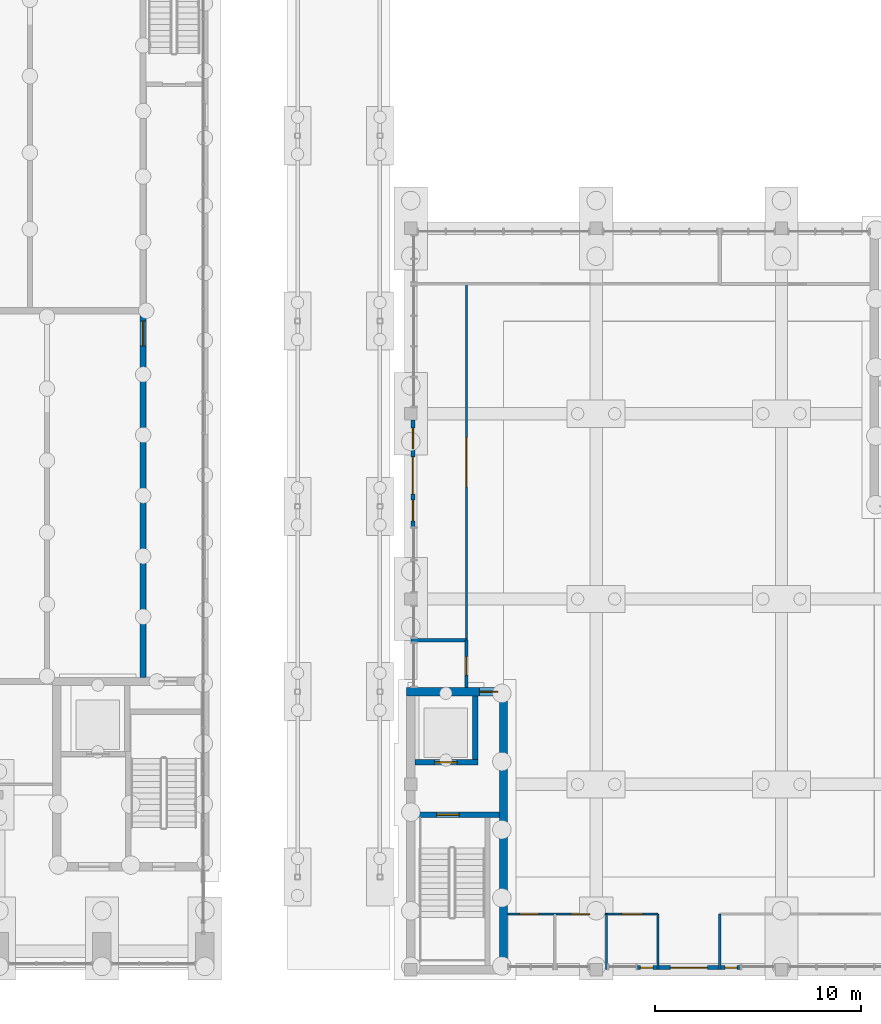
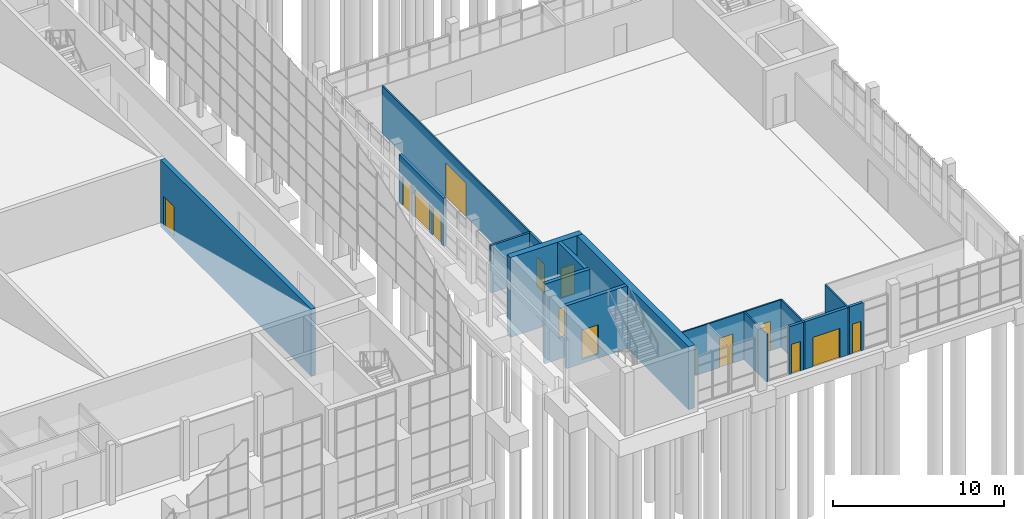
# One storey, part 67 of 106: 15 walls, 11 doors, 4 windows, 15 openings.
"""IFC4 building model written with IfcOpenShell, lengths in metres."""

from ifc_helpers import new_model, si_unit, direction, frame, frame_2d, origin, place, context, subcontext, project, spatial, rectangle, extrude, material, layer, layer_set, type_object, element, fill, save


model = new_model("IFC4")

# Units and contexts
model_context = context("Model", 3, precision=1e-05, world=origin(), true_north=direction((0.0, 1.0)))
body_context = subcontext(model_context, "Body", "Model", "MODEL_VIEW")
ifc_project = project(units=[si_unit("LENGTHUNIT", "METRE"), si_unit("AREAUNIT", "SQUARE_METRE"), si_unit("VOLUMEUNIT", "CUBIC_METRE"), si_unit("PLANEANGLEUNIT", "RADIAN"), si_unit("MASSUNIT", "GRAM", prefix="KILO")], contexts=[model_context])

# Site, building, storey
site_placement = place(None, origin())
site = spatial("IfcSite", under=ifc_project, at=site_placement, CompositionType="ELEMENT")
building_placement = place(site_placement, origin())
building = spatial("IfcBuilding", under=site, at=building_placement, Name="Merrow Basin Faculty of Sciences", CompositionType="ELEMENT")
storey_placement = place(building_placement, origin())
storey = spatial("IfcBuildingStorey", under=building, at=storey_placement, Name="L00", CompositionType="ELEMENT", Elevation=0.0)

# Wall, openings, windows, door
ifc_material_1 = material(Name="Precast concrete C40/50", Category="concrete")
ifc_layer_1 = layer(ifc_material_1, 0.199951171875)
ifc_layer_set_1 = layer_set([ifc_layer_1], Name="Entrance frame wall 200 Precast concrete C40/50")
wall_type_1 = type_object("IfcWallType", Name="Entrance frame wall 200 Precast concrete C40/50", PredefinedType="STANDARD", material=ifc_layer_set_1)
wall_1_placement = place(storey_placement, frame((45.10009765625, 21.5, 0.0), z_axis=(0.0, 0.0, 1.0), x_axis=(0.0, 1.0, 0.0)))
wall_1 = element("IfcWall", 1, at=wall_1_placement, inside=storey, type_object=wall_type_1, Name="West entrance frame wall", PredefinedType="STANDARD", context=body_context, shape_type="SweptSolid", body=[
    extrude(rectangle(XDim=5.199951171875, YDim=0.199951171875, at=frame_2d((2.60009765625, 0.0))), origin(), (0.0, 0.0, 1.0), 3.39990234375),
])
opening_1_placement = place(wall_1_placement, frame((1.60009765625, 0.0, 0.0)))
opening_1 = element("IfcOpeningElement", 2, at=opening_1_placement, cuts=wall_1, Name="Opening D00A014", PredefinedType="OPENING", context=body_context, shape_type="SweptSolid", body=[
    extrude(rectangle(XDim=1.800048828125, YDim=2.10009765625, at=frame_2d((0.89990234375, 1.050048828125))), frame((0.0, 0.10986328125, 0.0), z_axis=(0.0, -1.0, 0.0), x_axis=(1.0, 0.0, 0.0)), (0.0, 0.0, 1.0), 0.219970703125),
])
opening_2_placement = place(wall_1_placement, frame((0.300048828125, 0.0, 0.0)))
opening_2 = element("IfcOpeningElement", 3, at=opening_2_placement, cuts=wall_1, Name="Opening WN6", PredefinedType="OPENING", context=body_context, shape_type="SweptSolid", body=[
    extrude(rectangle(XDim=1.0, YDim=2.10009765625, at=frame_2d((0.5, 1.050048828125))), frame((0.0, 0.10986328125, 0.0), z_axis=(0.0, -1.0, 0.0), x_axis=(1.0, 0.0, 0.0)), (0.0, 0.0, 1.0), 0.219970703125),
])
opening_3_placement = place(wall_1_placement, frame((3.800048828125, 0.0, 0.0)))
opening_3 = element("IfcOpeningElement", 4, at=opening_3_placement, cuts=wall_1, Name="Opening WN6", PredefinedType="OPENING", context=body_context, shape_type="SweptSolid", body=[
    extrude(rectangle(XDim=1.0, YDim=2.10009765625, at=frame_2d((0.5, 1.050048828125))), frame((0.0, 0.10986328125, 0.0), z_axis=(0.0, -1.0, 0.0), x_axis=(1.0, 0.0, 0.0)), (0.0, 0.0, 1.0), 0.219970703125),
])
ifc_material_2 = material(Name="Low-E double glazing", Category="glass")
window_type_1 = type_object("IfcWindowType", Name="Atrium entrance sidelight 1000 x 2100", PartitioningType="SINGLE_PANEL", PredefinedType="WINDOW", material=ifc_material_2)
window_1_placement = place(opening_2_placement, origin())
window_1 = element("IfcWindow", 5, at=window_1_placement, inside=storey, type_object=window_type_1, Name="West entrance sidelight", OverallHeight=2.10009765625, OverallWidth=1.0, PartitioningType="SINGLE_PANEL", PredefinedType="WINDOW", context=body_context, shape_type="SweptSolid", body=[
    extrude(rectangle(XDim=1.0, YDim=2.10009765625, at=frame_2d((0.5, 1.050048828125))), frame((0.0, 0.030029296875, 0.0), z_axis=(0.0, -1.0, 0.0), x_axis=(1.0, 0.0, 0.0)), (0.0, 0.0, 1.0), 0.06005859375),
])
fill(opening_2, window_1)
window_2_placement = place(opening_3_placement, origin())
window_2 = element("IfcWindow", 6, at=window_2_placement, inside=storey, type_object=window_type_1, Name="West entrance sidelight", OverallHeight=2.10009765625, OverallWidth=1.0, PartitioningType="SINGLE_PANEL", PredefinedType="WINDOW", context=body_context, shape_type="SweptSolid", body=[
    extrude(rectangle(XDim=1.0, YDim=2.10009765625, at=frame_2d((0.5, 1.050048828125))), frame((0.0, 0.030029296875, 0.0), z_axis=(0.0, -1.0, 0.0), x_axis=(1.0, 0.0, 0.0)), (0.0, 0.0, 1.0), 0.06005859375),
])
fill(opening_3, window_2)
ifc_material_3 = material(Name="Glazed aluminium door", Category="aluminium")
door_type_1 = type_object("IfcDoorType", Name="Double swing door 1800 x 2100", OperationType="NOTDEFINED", PredefinedType="DOOR", material=ifc_material_3)
door_1_placement = place(opening_1_placement, origin())
door_1 = element("IfcDoor", 7, at=door_1_placement, inside=storey, type_object=door_type_1, Name="West entrance door", OperationType="DOUBLE_DOOR_SINGLE_SWING", OverallHeight=2.10009765625, OverallWidth=1.800048828125, PredefinedType="DOOR", context=body_context, shape_type="SweptSolid", body=[
    extrude(rectangle(XDim=1.800048828125, YDim=2.10009765625, at=frame_2d((0.89990234375, 1.050048828125))), frame((0.0, 0.02490234375, 0.0), z_axis=(0.0, -1.0, 0.0), x_axis=(1.0, 0.0, 0.0)), (0.0, 0.0, 1.0), 0.050048828125),
])
fill(opening_1, door_1)

# Wall, openings, door, windows
wall_2_placement = place(storey_placement, frame((61.0, 0.10009765625, 0.0), z_axis=(0.0, 0.0, 1.0), x_axis=(-1.0, 0.0, 0.0)))
wall_2 = element("IfcWall", 8, at=wall_2_placement, inside=storey, type_object=wall_type_1, Name="South entrance frame wall", PredefinedType="STANDARD", context=body_context, shape_type="SweptSolid", body=[
    extrude(rectangle(XDim=5.0, YDim=0.199951171875, at=frame_2d((2.5, 0.0))), origin(), (0.0, 0.0, 1.0), 3.39990234375),
])
opening_4_placement = place(wall_2_placement, frame((1.60009765625, 0.0, 0.0)))
opening_4 = element("IfcOpeningElement", 9, at=opening_4_placement, cuts=wall_2, Name="Opening D00A016", PredefinedType="OPENING", context=body_context, shape_type="SweptSolid", body=[
    extrude(rectangle(XDim=1.800048828125, YDim=2.10009765625, at=frame_2d((0.89990234375, 1.050048828125))), frame((0.0, 0.10986328125, 0.0), z_axis=(0.0, -1.0, 0.0), x_axis=(1.0, 0.0, 0.0)), (0.0, 0.0, 1.0), 0.219970703125),
])
opening_5_placement = place(wall_2_placement, frame((0.14990234375, 0.0, 0.0)))
opening_5 = element("IfcOpeningElement", 10, at=opening_5_placement, cuts=wall_2, Name="Opening WN2", PredefinedType="OPENING", context=body_context, shape_type="SweptSolid", body=[
    extrude(rectangle(XDim=0.60009765625, YDim=2.10009765625, at=frame_2d((0.300048828125, 1.050048828125))), frame((0.0, 0.10986328125, 0.0), z_axis=(0.0, -1.0, 0.0), x_axis=(1.0, 0.0, 0.0)), (0.0, 0.0, 1.0), 0.219970703125),
])
opening_6_placement = place(wall_2_placement, frame((4.25, 0.0, 0.0)))
opening_6 = element("IfcOpeningElement", 11, at=opening_6_placement, cuts=wall_2, Name="Opening WN2", PredefinedType="OPENING", context=body_context, shape_type="SweptSolid", body=[
    extrude(rectangle(XDim=0.60009765625, YDim=2.10009765625, at=frame_2d((0.300048828125, 1.050048828125))), frame((0.0, 0.10986328125, 0.0), z_axis=(0.0, -1.0, 0.0), x_axis=(1.0, 0.0, 0.0)), (0.0, 0.0, 1.0), 0.219970703125),
])
door_2_placement = place(opening_4_placement, origin())
door_2 = element("IfcDoor", 12, at=door_2_placement, inside=storey, type_object=door_type_1, Name="South entrance door", OperationType="DOUBLE_DOOR_SINGLE_SWING", OverallHeight=2.10009765625, OverallWidth=1.800048828125, PredefinedType="DOOR", context=body_context, shape_type="SweptSolid", body=[
    extrude(rectangle(XDim=1.800048828125, YDim=2.10009765625, at=frame_2d((0.89990234375, 1.050048828125))), frame((0.0, 0.02490234375, 0.0), z_axis=(0.0, -1.0, 0.0), x_axis=(1.0, 0.0, 0.0)), (0.0, 0.0, 1.0), 0.050048828125),
])
fill(opening_4, door_2)
ifc_material_4 = material(Name="Low-E double glazing", Category="glass")
window_type_2 = type_object("IfcWindowType", Name="Entrance sidelight 600 x 2100", PartitioningType="SINGLE_PANEL", PredefinedType="WINDOW", material=ifc_material_4)
window_3_placement = place(opening_5_placement, origin())
window_3 = element("IfcWindow", 13, at=window_3_placement, inside=storey, type_object=window_type_2, Name="South entrance sidelight", OverallHeight=2.10009765625, OverallWidth=0.60009765625, PartitioningType="SINGLE_PANEL", PredefinedType="WINDOW", context=body_context, shape_type="SweptSolid", body=[
    extrude(rectangle(XDim=0.60009765625, YDim=2.10009765625, at=frame_2d((0.300048828125, 1.050048828125))), frame((0.0, 0.030029296875, 0.0), z_axis=(0.0, -1.0, 0.0), x_axis=(1.0, 0.0, 0.0)), (0.0, 0.0, 1.0), 0.06005859375),
])
fill(opening_5, window_3)
window_4_placement = place(opening_6_placement, origin())
window_4 = element("IfcWindow", 14, at=window_4_placement, inside=storey, type_object=window_type_2, Name="South entrance sidelight", OverallHeight=2.10009765625, OverallWidth=0.60009765625, PartitioningType="SINGLE_PANEL", PredefinedType="WINDOW", context=body_context, shape_type="SweptSolid", body=[
    extrude(rectangle(XDim=0.60009765625, YDim=2.10009765625, at=frame_2d((0.300048828125, 1.050048828125))), frame((0.0, 0.030029296875, 0.0), z_axis=(0.0, -1.0, 0.0), x_axis=(1.0, 0.0, 0.0)), (0.0, 0.0, 1.0), 0.06005859375),
])
fill(opening_6, window_4)

# Wall, opening, door
ifc_material_5 = material(Name="Concrete C40/50", Category="concrete")
ifc_layer_2 = layer(ifc_material_5, 0.300048828125)
ifc_layer_set_2 = layer_set([ifc_layer_2], Name="Hall wall 300 Concrete C40/50")
wall_type_2 = type_object("IfcWallType", Name="Hall wall 300 Concrete C40/50", PredefinedType="SHEAR", material=ifc_layer_set_2)
wall_3_placement = place(storey_placement, frame((32.0, 14.199951171875, -0.300048828125), z_axis=(0.0, 0.0, 1.0), x_axis=(0.0, 1.0, 0.0)))
wall_3 = element("IfcWall", 15, at=wall_3_placement, inside=storey, type_object=wall_type_2, Name="SW7 L00 022", PredefinedType="SHEAR", context=body_context, shape_type="SweptSolid", body=[
    extrude(rectangle(XDim=17.650146484375, YDim=0.300048828125, at=frame_2d((8.8251953125, 0.0))), origin(), (0.0, 0.0, 1.0), 4.800048828125),
])
opening_7_placement = place(wall_3_placement, frame((16.10009765625, 0.0, 0.300048828125)))
opening_7 = element("IfcOpeningElement", 16, at=opening_7_placement, cuts=wall_3, Name="Opening D00H022", PredefinedType="OPENING", context=body_context, shape_type="SweptSolid", body=[
    extrude(rectangle(XDim=1.199951171875, YDim=2.10009765625, at=frame_2d((0.60009765625, 1.050048828125))), frame((0.0, 0.159912109375, 0.0), z_axis=(0.0, -1.0, 0.0), x_axis=(1.0, 0.0, 0.0)), (0.0, 0.0, 1.0), 0.320068359375),
])
ifc_material_6 = material(Name="Fire-rated steel door", Category="steel")
door_type_2 = type_object("IfcDoorType", Name="Fire door FD60 1200 x 2100", OperationType="NOTDEFINED", PredefinedType="DOOR", material=ifc_material_6)
door_3_placement = place(opening_7_placement, origin())
door_3 = element("IfcDoor", 17, at=door_3_placement, inside=storey, type_object=door_type_2, Name="Lecture Theatre 3 lower exit", OperationType="SINGLE_SWING_RIGHT", OverallHeight=2.10009765625, OverallWidth=1.199951171875, PredefinedType="DOOR", context=body_context, shape_type="SweptSolid", body=[
    extrude(rectangle(XDim=1.199951171875, YDim=2.10009765625, at=frame_2d((0.60009765625, 1.050048828125))), frame((0.0, 0.02490234375, 0.0), z_axis=(0.0, -1.0, 0.0), x_axis=(1.0, 0.0, 0.0)), (0.0, 0.0, 1.0), 0.050048828125),
])
fill(opening_7, door_3)

ifc_material_7 = material(Name="Gypsum board")
ifc_layer_3 = layer(ifc_material_7, 0.10009765625)
ifc_layer_set_3 = layer_set([ifc_layer_3], Name="Partition 100 gypsum board on steel studs")
wall_type_3 = type_object("IfcWallType", Name="Partition 100 gypsum board on steel studs", PredefinedType="PARTITIONING", material=ifc_layer_set_3)
wall_4_placement = place(storey_placement, frame((47.699951171875, 16.0, 0.0), z_axis=(0.0, 0.0, 1.0), x_axis=(0.0, 1.0, 0.0)))
wall_4 = element("IfcWall", 18, at=wall_4_placement, inside=storey, type_object=wall_type_3, Name="IW100 L00 009", PredefinedType="PARTITIONING", context=body_context, shape_type="SweptSolid", body=[
    extrude(rectangle(XDim=17.300048828125, YDim=0.10009765625, at=frame_2d((8.64990234375, 0.0))), origin(), (0.0, 0.0, 1.0), 3.39990234375),
])
opening_8_placement = place(wall_4_placement, frame((7.449951171875, 0.0, 0.0)))
opening_8 = element("IfcOpeningElement", 19, at=opening_8_placement, cuts=wall_4, Name="Opening D00A013", PredefinedType="OPENING", context=body_context, shape_type="SweptSolid", body=[
    extrude(rectangle(XDim=2.39990234375, YDim=2.39990234375, at=frame_2d((1.199951171875, 1.199951171875))), frame((0.0, 0.06005859375, 0.0), z_axis=(0.0, -1.0, 0.0), x_axis=(1.0, 0.0, 0.0)), (0.0, 0.0, 1.0), 0.1201171875),
])
ifc_material_8 = material(Name="Glazed aluminium door", Category="aluminium")
door_type_3 = type_object("IfcDoorType", Name="Glazed double door 2400 x 2400", OperationType="NOTDEFINED", PredefinedType="DOOR", material=ifc_material_8)
door_4_placement = place(opening_8_placement, origin())
door_4 = element("IfcDoor", 20, at=door_4_placement, inside=storey, type_object=door_type_3, Name="Door D00A013", OperationType="DOUBLE_DOOR_SINGLE_SWING", OverallHeight=2.39990234375, OverallWidth=2.39990234375, PredefinedType="DOOR", context=body_context, shape_type="SweptSolid", body=[
    extrude(rectangle(XDim=2.39990234375, YDim=2.39990234375, at=frame_2d((1.199951171875, 1.199951171875))), frame((0.0, 0.02490234375, 0.0), z_axis=(0.0, -1.0, 0.0), x_axis=(1.0, 0.0, 0.0)), (0.0, 0.0, 1.0), 0.050048828125),
])
fill(opening_8, door_4)

# Walls
wall_5_placement = place(storey_placement, frame((60.0, 0.0, 0.0), z_axis=(0.0, 0.0, 1.0), x_axis=(0.0, 1.0, 0.0)))
element("IfcWall", 21, at=wall_5_placement, inside=storey, type_object=wall_type_3, Name="IW100 L00 010", PredefinedType="PARTITIONING", context=body_context, shape_type="SweptSolid", body=[
    extrude(rectangle(XDim=2.699951171875, YDim=0.10009765625, at=frame_2d((1.35009765625, 0.0))), origin(), (0.0, 0.0, 1.0), 3.39990234375),
])
ifc_material_9 = material(Name="Moisture-resistant gypsum board")
ifc_layer_4 = layer(ifc_material_9, 0.10009765625)
ifc_layer_set_4 = layer_set([ifc_layer_4], Name="Partition 100 moisture-resistant board on steel studs")
wall_type_4 = type_object("IfcWallType", Name="Partition 100 moisture-resistant board on steel studs", PredefinedType="PARTITIONING", material=ifc_layer_set_4)
for number, where, z_axis, x_axis, name in (
    (22, (54.5, 0.0, 0.0), (0.0, 0.0, 1.0), (0.0, 1.0, 0.0), "IW101 L00 006"),
    (23, (57.0, 0.0, 0.0), (0.0, 0.0, 1.0), (0.0, 1.0, 0.0), "IW101 L00 007"),
):
    element("IfcWall", number, at=place(storey_placement, frame(where, z_axis=z_axis, x_axis=x_axis)), inside=storey, type_object=wall_type_4, Name=name, PredefinedType="PARTITIONING", context=body_context, shape_type="SweptSolid", body=[
        extrude(rectangle(XDim=2.699951171875, YDim=0.10009765625, at=frame_2d((1.35009765625, 0.0))), origin(), (0.0, 0.0, 1.0), 3.39990234375),
    ])

# Wall, openings, doors
wall_6_placement = place(storey_placement, frame((49.699951171875, 2.699951171875, 0.0), z_axis=(0.0, 0.0, 1.0), x_axis=(1.0, 0.0, 0.0)))
wall_6 = element("IfcWall", 24, at=wall_6_placement, inside=storey, type_object=wall_type_4, Name="IW101 L00 008", PredefinedType="PARTITIONING", context=body_context, shape_type="SweptSolid", body=[
    extrude(rectangle(XDim=7.300048828125, YDim=0.10009765625, at=frame_2d((3.64990234375, 0.0))), origin(), (0.0, 0.0, 1.0), 3.39990234375),
])
opening_9_placement = place(wall_6_placement, frame((0.60009765625, 0.0, 0.0)))
opening_9 = element("IfcOpeningElement", 25, at=opening_9_placement, cuts=wall_6, Name="Opening D00A005", PredefinedType="OPENING", context=body_context, shape_type="SweptSolid", body=[
    extrude(rectangle(XDim=0.89990234375, YDim=2.10009765625, at=frame_2d((0.449951171875, 1.050048828125))), frame((0.0, 0.06005859375, 0.0), z_axis=(0.0, -1.0, 0.0), x_axis=(1.0, 0.0, 0.0)), (0.0, 0.0, 1.0), 0.1201171875),
])
opening_10_placement = place(wall_6_placement, frame((3.10009765625, 0.0, 0.0)))
opening_10 = element("IfcOpeningElement", 26, at=opening_10_placement, cuts=wall_6, Name="Opening D00A006", PredefinedType="OPENING", context=body_context, shape_type="SweptSolid", body=[
    extrude(rectangle(XDim=0.89990234375, YDim=2.10009765625, at=frame_2d((0.449951171875, 1.050048828125))), frame((0.0, 0.06005859375, 0.0), z_axis=(0.0, -1.0, 0.0), x_axis=(1.0, 0.0, 0.0)), (0.0, 0.0, 1.0), 0.1201171875),
])
opening_11_placement = place(wall_6_placement, frame((5.550048828125, 0.0, 0.0)))
opening_11 = element("IfcOpeningElement", 27, at=opening_11_placement, cuts=wall_6, Name="Opening D00A007", PredefinedType="OPENING", context=body_context, shape_type="SweptSolid", body=[
    extrude(rectangle(XDim=1.0, YDim=2.10009765625, at=frame_2d((0.5, 1.050048828125))), frame((0.0, 0.06005859375, 0.0), z_axis=(0.0, -1.0, 0.0), x_axis=(1.0, 0.0, 0.0)), (0.0, 0.0, 1.0), 0.1201171875),
])
ifc_material_10 = material(Name="Timber door leaf", Category="wood")
door_type_4 = type_object("IfcDoorType", Name="Accessible door 1000 x 2100", OperationType="NOTDEFINED", PredefinedType="DOOR", material=ifc_material_10)
door_5_placement = place(opening_11_placement, origin())
door_5 = element("IfcDoor", 28, at=door_5_placement, inside=storey, type_object=door_type_4, Name="Door D00A007", OperationType="SINGLE_SWING_LEFT", OverallHeight=2.10009765625, OverallWidth=1.0, PredefinedType="DOOR", context=body_context, shape_type="SweptSolid", body=[
    extrude(rectangle(XDim=1.0, YDim=2.10009765625, at=frame_2d((0.5, 1.050048828125))), frame((0.0, 0.02490234375, 0.0), z_axis=(0.0, -1.0, 0.0), x_axis=(1.0, 0.0, 0.0)), (0.0, 0.0, 1.0), 0.050048828125),
])
fill(opening_11, door_5)
ifc_material_11 = material(Name="Timber door leaf", Category="wood")
door_type_5 = type_object("IfcDoorType", Name="Single swing door 900 x 2100", OperationType="NOTDEFINED", PredefinedType="DOOR", material=ifc_material_11)
door_6_placement = place(opening_9_placement, origin())
door_6 = element("IfcDoor", 29, at=door_6_placement, inside=storey, type_object=door_type_5, Name="Door D00A005", OperationType="SINGLE_SWING_LEFT", OverallHeight=2.10009765625, OverallWidth=0.89990234375, PredefinedType="DOOR", context=body_context, shape_type="SweptSolid", body=[
    extrude(rectangle(XDim=0.89990234375, YDim=2.10009765625, at=frame_2d((0.449951171875, 1.050048828125))), frame((0.0, 0.02490234375, 0.0), z_axis=(0.0, -1.0, 0.0), x_axis=(1.0, 0.0, 0.0)), (0.0, 0.0, 1.0), 0.050048828125),
])
fill(opening_9, door_6)
door_7_placement = place(opening_10_placement, origin())
door_7 = element("IfcDoor", 30, at=door_7_placement, inside=storey, type_object=door_type_5, Name="Door D00A006", OperationType="SINGLE_SWING_LEFT", OverallHeight=2.10009765625, OverallWidth=0.89990234375, PredefinedType="DOOR", context=body_context, shape_type="SweptSolid", body=[
    extrude(rectangle(XDim=0.89990234375, YDim=2.10009765625, at=frame_2d((0.449951171875, 1.050048828125))), frame((0.0, 0.02490234375, 0.0), z_axis=(0.0, -1.0, 0.0), x_axis=(1.0, 0.0, 0.0)), (0.0, 0.0, 1.0), 0.050048828125),
])
fill(opening_10, door_7)

# Wall, opening, door
ifc_material_12 = material(Name="Concrete C40/50", Category="concrete")
ifc_layer_5 = layer(ifc_material_12, 0.25)
ifc_layer_set_5 = layer_set([ifc_layer_5], Name="Shear wall 250 Concrete C40/50")
wall_type_5 = type_object("IfcWallType", Name="Shear wall 250 Concrete C40/50", PredefinedType="SHEAR", material=ifc_layer_set_5)
wall_7_placement = place(storey_placement, frame((45.199951171875, 7.52490234375, -0.300048828125), z_axis=(0.0, 0.0, 1.0), x_axis=(1.0, 0.0, 0.0)))
wall_7 = element("IfcWall", 31, at=wall_7_placement, inside=storey, type_object=wall_type_5, Name="SW2 L00 006", PredefinedType="SHEAR", context=body_context, shape_type="SweptSolid", body=[
    extrude(rectangle(XDim=4.10009765625, YDim=0.25, at=frame_2d((2.050048828125, 0.0))), origin(), (0.0, 0.0, 1.0), 4.5),
])
opening_12_placement = place(wall_7_placement, frame((1.050048828125, 0.0, 0.300048828125)))
opening_12 = element("IfcOpeningElement", 32, at=opening_12_placement, cuts=wall_7, Name="Opening D00A001", PredefinedType="OPENING", context=body_context, shape_type="SweptSolid", body=[
    extrude(rectangle(XDim=1.10009765625, YDim=2.10009765625, at=frame_2d((0.550048828125, 1.050048828125))), frame((0.0, 0.135009765625, 0.0), z_axis=(0.0, -1.0, 0.0), x_axis=(1.0, 0.0, 0.0)), (0.0, 0.0, 1.0), 0.27001953125),
])
ifc_material_13 = material(Name="Fire-rated steel door", Category="steel")
door_type_6 = type_object("IfcDoorType", Name="Fire door FD90 1100 x 2100", OperationType="NOTDEFINED", PredefinedType="DOOR", material=ifc_material_13)
door_8_placement = place(opening_12_placement, origin())
door_8 = element("IfcDoor", 33, at=door_8_placement, inside=storey, type_object=door_type_6, Name="Door D00A001", OperationType="SINGLE_SWING_LEFT", OverallHeight=2.10009765625, OverallWidth=1.10009765625, PredefinedType="DOOR", context=body_context, shape_type="SweptSolid", body=[
    extrude(rectangle(XDim=1.10009765625, YDim=2.10009765625, at=frame_2d((0.550048828125, 1.050048828125))), frame((0.0, 0.02490234375, 0.0), z_axis=(0.0, -1.0, 0.0), x_axis=(1.0, 0.0, 0.0)), (0.0, 0.0, 1.0), 0.050048828125),
])
fill(opening_12, door_8)

wall_8_placement = place(storey_placement, frame((45.199951171875, 10.074951171875, -1.5), z_axis=(0.0, 0.0, 1.0), x_axis=(1.0, 0.0, 0.0)))
wall_8 = element("IfcWall", 34, at=wall_8_placement, inside=storey, type_object=wall_type_5, Name="SW2 L00 008", PredefinedType="SHEAR", context=body_context, shape_type="SweptSolid", body=[
    extrude(rectangle(XDim=3.050048828125, YDim=0.25, at=frame_2d((1.52490234375, 0.0))), origin(), (0.0, 0.0, 1.0), 5.699951171875),
])
opening_13_placement = place(wall_8_placement, frame((0.949951171875, 0.0, 1.5)))
opening_13 = element("IfcOpeningElement", 35, at=opening_13_placement, cuts=wall_8, Name="Opening LD00A01", PredefinedType="OPENING", context=body_context, shape_type="SweptSolid", body=[
    extrude(rectangle(XDim=1.10009765625, YDim=2.10009765625, at=frame_2d((0.550048828125, 1.050048828125))), frame((0.0, 0.135009765625, 0.0), z_axis=(0.0, -1.0, 0.0), x_axis=(1.0, 0.0, 0.0)), (0.0, 0.0, 1.0), 0.27001953125),
])
ifc_material_14 = material(Name="Stainless steel sliding door", Category="steel")
door_type_7 = type_object("IfcDoorType", Name="Lift landing door 1100 x 2100 sliding", OperationType="NOTDEFINED", PredefinedType="DOOR", material=ifc_material_14)
door_9_placement = place(opening_13_placement, origin())
door_9 = element("IfcDoor", 36, at=door_9_placement, inside=storey, type_object=door_type_7, Name="Landing door LF9 L00", OperationType="SLIDING_TO_LEFT", OverallHeight=2.10009765625, OverallWidth=1.10009765625, PredefinedType="DOOR", context=body_context, shape_type="SweptSolid", body=[
    extrude(rectangle(XDim=1.10009765625, YDim=2.10009765625, at=frame_2d((0.550048828125, 1.050048828125))), frame((0.0, 0.02490234375, 0.0), z_axis=(0.0, -1.0, 0.0), x_axis=(1.0, 0.0, 0.0)), (0.0, 0.0, 1.0), 0.050048828125),
])
fill(opening_13, door_9)

# Wall
wall_9_placement = place(storey_placement, frame((48.125, 10.199951171875, -1.5), z_axis=(0.0, 0.0, 1.0), x_axis=(0.0, 1.0, 0.0)))
element("IfcWall", 37, at=wall_9_placement, inside=storey, type_object=wall_type_5, Name="SW2 L00 009", PredefinedType="SHEAR", context=body_context, shape_type="SweptSolid", body=[
    extrude(rectangle(XDim=3.10009765625, YDim=0.25, at=frame_2d((1.550048828125, 0.0))), origin(), (0.0, 0.0, 1.0), 5.699951171875),
])

# Wall, opening, door
ifc_material_15 = material(Name="Concrete C40/50", Category="concrete")
ifc_layer_6 = layer(ifc_material_15, 0.39990234375)
ifc_layer_set_6 = layer_set([ifc_layer_6], Name="Shear wall 400 Concrete C40/50")
wall_type_6 = type_object("IfcWallType", Name="Shear wall 400 Concrete C40/50", PredefinedType="SHEAR", material=ifc_layer_set_6)
wall_10_placement = place(storey_placement, frame((44.800048828125, 13.5, -1.5), z_axis=(0.0, 0.0, 1.0), x_axis=(1.0, 0.0, 0.0)))
wall_10 = element("IfcWall", 38, at=wall_10_placement, inside=storey, type_object=wall_type_6, Name="SW1 L00 002", PredefinedType="SHEAR", context=body_context, shape_type="SweptSolid", body=[
    extrude(rectangle(XDim=4.89990234375, YDim=0.39990234375, at=frame_2d((2.449951171875, 0.0))), origin(), (0.0, 0.0, 1.0), 5.699951171875),
])
opening_14_placement = place(wall_10_placement, frame((3.52490234375, 0.0, 1.5)))
opening_14 = element("IfcOpeningElement", 39, at=opening_14_placement, cuts=wall_10, Name="Opening D00A002", PredefinedType="OPENING", context=body_context, shape_type="SweptSolid", body=[
    extrude(rectangle(XDim=0.89990234375, YDim=2.10009765625, at=frame_2d((0.449951171875, 1.050048828125))), frame((0.0, 0.2099609375, 0.0), z_axis=(0.0, -1.0, 0.0), x_axis=(1.0, 0.0, 0.0)), (0.0, 0.0, 1.0), 0.419921875),
])
ifc_material_16 = material(Name="Fire-rated steel door", Category="steel")
door_type_8 = type_object("IfcDoorType", Name="Fire door FD60 900 x 2100", OperationType="NOTDEFINED", PredefinedType="DOOR", material=ifc_material_16)
door_10_placement = place(opening_14_placement, origin())
door_10 = element("IfcDoor", 40, at=door_10_placement, inside=storey, type_object=door_type_8, Name="Door D00A002", OperationType="SINGLE_SWING_RIGHT", OverallHeight=2.10009765625, OverallWidth=0.89990234375, PredefinedType="DOOR", context=body_context, shape_type="SweptSolid", body=[
    extrude(rectangle(XDim=0.89990234375, YDim=2.10009765625, at=frame_2d((0.449951171875, 1.050048828125))), frame((0.0, 0.02490234375, 0.0), z_axis=(0.0, -1.0, 0.0), x_axis=(1.0, 0.0, 0.0)), (0.0, 0.0, 1.0), 0.050048828125),
])
fill(opening_14, door_10)

# Wall
wall_11_placement = place(storey_placement, frame((49.5, 0.199951171875, -0.300048828125), z_axis=(0.0, 0.0, 1.0), x_axis=(0.0, 1.0, 0.0)))
element("IfcWall", 41, at=wall_11_placement, inside=storey, type_object=wall_type_6, Name="SW1 L00 005", PredefinedType="SHEAR", context=body_context, shape_type="SweptSolid", body=[
    extrude(rectangle(XDim=13.10009765625, YDim=0.39990234375, at=frame_2d((6.550048828125, 0.0))), origin(), (0.0, 0.0, 1.0), 4.5),
])

# Wall, opening, door
ifc_material_17 = material(Name="Fire-rated gypsum board")
ifc_layer_7 = layer(ifc_material_17, 0.14990234375)
ifc_layer_set_7 = layer_set([ifc_layer_7], Name="Store partition 150 fire-rated board on steel studs")
wall_type_7 = type_object("IfcWallType", Name="Store partition 150 fire-rated board on steel studs", PredefinedType="PARTITIONING", material=ifc_layer_set_7)
wall_12_placement = place(storey_placement, frame((47.699951171875, 13.699951171875, 0.0), z_axis=(0.0, 0.0, 1.0), x_axis=(0.0, 1.0, 0.0)))
wall_12 = element("IfcWall", 42, at=wall_12_placement, inside=storey, type_object=wall_type_7, Name="IW152 L00 001", PredefinedType="PARTITIONING", context=body_context, shape_type="SweptSolid", body=[
    extrude(rectangle(XDim=2.300048828125, YDim=0.14990234375, at=frame_2d((1.14990234375, 0.0))), origin(), (0.0, 0.0, 1.0), 3.39990234375),
])
opening_15_placement = place(wall_12_placement, frame((0.60009765625, 0.0, 0.0)))
opening_15 = element("IfcOpeningElement", 43, at=opening_15_placement, cuts=wall_12, Name="Opening D00A012", PredefinedType="OPENING", context=body_context, shape_type="SweptSolid", body=[
    extrude(rectangle(XDim=0.89990234375, YDim=2.10009765625, at=frame_2d((0.449951171875, 1.050048828125))), frame((0.0, 0.0849609375, 0.0), z_axis=(0.0, -1.0, 0.0), x_axis=(1.0, 0.0, 0.0)), (0.0, 0.0, 1.0), 0.169921875),
])
door_11_placement = place(opening_15_placement, origin())
door_11 = element("IfcDoor", 44, at=door_11_placement, inside=storey, type_object=door_type_8, Name="Door D00A012", OperationType="SINGLE_SWING_LEFT", OverallHeight=2.10009765625, OverallWidth=0.89990234375, PredefinedType="DOOR", context=body_context, shape_type="SweptSolid", body=[
    extrude(rectangle(XDim=0.89990234375, YDim=2.10009765625, at=frame_2d((0.449951171875, 1.050048828125))), frame((0.0, 0.02490234375, 0.0), z_axis=(0.0, -1.0, 0.0), x_axis=(1.0, 0.0, 0.0)), (0.0, 0.0, 1.0), 0.050048828125),
])
fill(opening_15, door_11)

# Wall
wall_13_placement = place(storey_placement, frame((45.0, 16.0, 0.0), z_axis=(0.0, 0.0, 1.0), x_axis=(1.0, 0.0, 0.0)))
element("IfcWall", 45, at=wall_13_placement, inside=storey, type_object=wall_type_7, Name="IW152 L00 003", PredefinedType="PARTITIONING", context=body_context, shape_type="SweptSolid", body=[
    extrude(rectangle(XDim=2.699951171875, YDim=0.14990234375, at=frame_2d((1.35009765625, 0.0))), origin(), (0.0, 0.0, 1.0), 3.39990234375),
])

save(model, "model.ifc")
